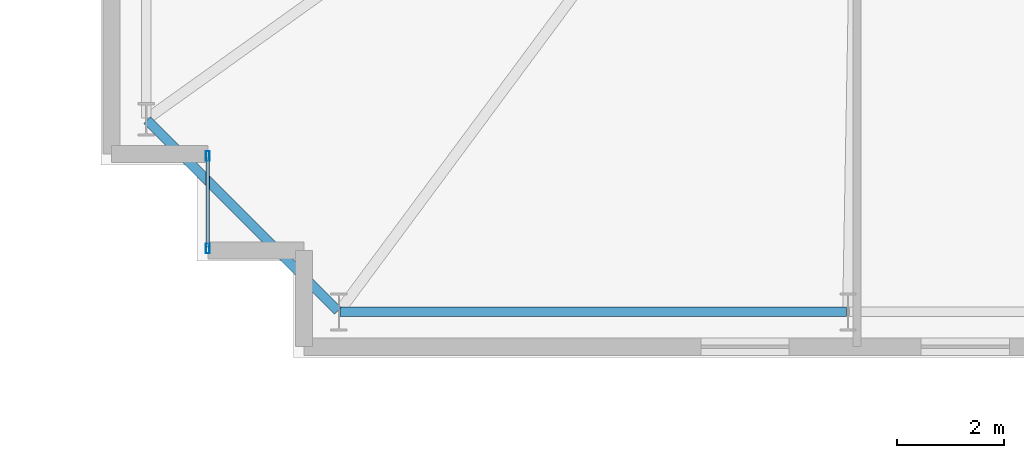
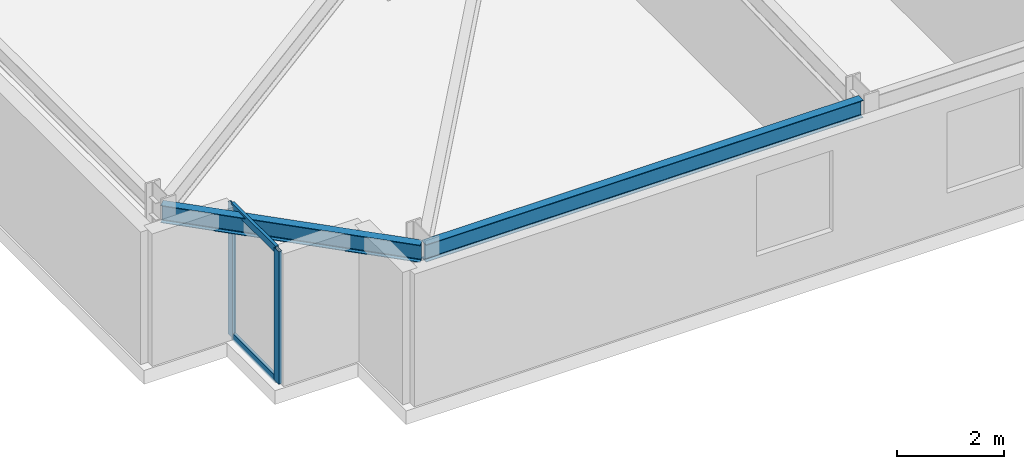
# One storey, part 4 of 21: 4 members, 2 beams, 1 element without a shape of its own.
"""IFC4 building model written with IfcOpenShell, lengths in metres."""

from ifc_helpers import new_model, si_unit, direction, frame, origin, origin_2d, place, context, subcontext, project, spatial, hollow_rectangle, i_section, extrude, material, layer, layer_set, material_profile, profile_set, type_object, element, aggregate, save


model = new_model("IFC4")

# Units and contexts
model_context = context("Model", 3, precision=1e-05, world=origin(), true_north=direction((0.0, 1.0)))
body_context = subcontext(model_context, "Body", "Model", "MODEL_VIEW")
ifc_project = project(units=[si_unit("LENGTHUNIT", "METRE"), si_unit("AREAUNIT", "SQUARE_METRE"), si_unit("VOLUMEUNIT", "CUBIC_METRE"), si_unit("PLANEANGLEUNIT", "RADIAN"), si_unit("MASSUNIT", "GRAM", prefix="KILO")], contexts=[model_context])

# Site, building, storey
site_placement = place(None, origin())
site = spatial("IfcSite", under=ifc_project, at=site_placement, CompositionType="ELEMENT")
building_placement = place(site_placement, origin())
building = spatial("IfcBuilding", under=site, at=building_placement, Name="Qobustan Lattice House", CompositionType="ELEMENT")
storey_placement = place(building_placement, frame((0.0, 0.0, 37.050048828125)))
storey = spatial("IfcBuildingStorey", under=building, at=storey_placement, Name="L09", CompositionType="ELEMENT", Elevation=37.050048828125)

# Beams
ifc_material_1 = material(Name="Steel S355", Category="steel")
ifc_material_profile_1 = material_profile(ifc_material_1, i_section(OverallWidth=0.179931640625, OverallDepth=0.39990234375, WebThickness=0.008544921875, FlangeThickness=0.013427734375, FilletRadius=0.02099609375, at=origin_2d()), Name="IPE400")
ifc_profile_set_1 = profile_set([ifc_material_profile_1], Name="Steel S355")
beam_type = type_object("IfcBeamType", Name="BM-SPD-IPE400", PredefinedType="SPANDREL", material=ifc_profile_set_1)
beam_1_placement = place(storey_placement, frame((-28.52490234375, -18.75, 2.8349609375), z_axis=(1.0, 0.0, 0.0), x_axis=(0.0, 1.0, 0.0)))
element("IfcBeam", 1, at=beam_1_placement, inside=storey, type_object=beam_type, Name="L09 perimeter spandrel S1-S2", PredefinedType="SPANDREL", context=body_context, shape_type="SweptSolid", body=[
    extrude(i_section(OverallWidth=0.179931640625, OverallDepth=0.39990234375, WebThickness=0.008544921875, FlangeThickness=0.013427734375, FilletRadius=0.02099609375, at=origin_2d()), origin(), (0.0, 0.0, 1.0), 9.466552734375),
])
beam_2_placement = place(storey_placement, frame((-32.13232421875, -15.167724609375, 2.8349609375), z_axis=(0.707106781187, -0.707106781187, 0.0), x_axis=(0.707106781187, 0.707106781187, 0.0)))
element("IfcBeam", 2, at=beam_2_placement, inside=storey, type_object=beam_type, Name="L09 perimeter spandrel W4-S1", PredefinedType="SPANDREL", context=body_context, shape_type="SweptSolid", body=[
    extrude(i_section(OverallWidth=0.179931640625, OverallDepth=0.39990234375, WebThickness=0.008544921875, FlangeThickness=0.013427734375, FilletRadius=0.02099609375, at=origin_2d()), origin(), (0.0, 0.0, 1.0), 5.041259765625),
])

# Curtain wall, members
ifc_material_2 = material(Name="Anodised aluminium and low-E glazing", Category="aluminium")
ifc_layer = layer(ifc_material_2, 0.219970703125)
ifc_layer_set = layer_set([ifc_layer], Name="Anodised aluminium and low-E glazing")
curtain_wall_type = type_object("IfcCurtainWallType", Name="CW-FAC-01", PredefinedType="USERDEFINED", material=ifc_layer_set)
curtain_wall_placement = place(storey_placement, origin())
curtain_wall = element("IfcCurtainWall", 3, at=curtain_wall_placement, inside=storey, type_object=curtain_wall_type, Name="L09 serrated corner faceted glazing 3", ObjectType="CURTAIN WALL", PredefinedType="USERDEFINED")
ifc_material_3 = material(Name="Anodised aluminium EN AW-6063 T6", Category="aluminium")
ifc_material_profile_2 = material_profile(ifc_material_3, hollow_rectangle(XDim=0.070068359375, YDim=0.179931640625, WallThickness=0.00439453125, at=origin_2d()), Name="CWM-180x70")
ifc_profile_set_2 = profile_set([ifc_material_profile_2], Name="Anodised aluminium EN AW-6063 T6")
member_type_1 = type_object("IfcMemberType", Name="CWM-STD-180", PredefinedType="MULLION", material=ifc_profile_set_2)
member_1_placement = place(storey_placement, frame((-31.0, -17.56494140625, 0.0), z_axis=(0.0, 0.0, 1.0), x_axis=(-1.0, 0.0, 0.0)))
member_1 = element("IfcMember", 4, at=member_1_placement, type_object=member_type_1, Name="CW-F1 mullion 1", PredefinedType="MULLION", context=body_context, shape_type="SweptSolid", body=[
    extrude(hollow_rectangle(XDim=0.070068359375, YDim=0.179931640625, WallThickness=0.00439453125, at=origin_2d()), origin(), (0.0, 0.0, 1.0), 3.034912109375),
])
member_2_placement = place(storey_placement, frame((-31.0, -15.8349609375, 0.0), z_axis=(0.0, 0.0, 1.0), x_axis=(-1.0, 0.0, 0.0)))
member_2 = element("IfcMember", 5, at=member_2_placement, type_object=member_type_1, Name="CW-F1 mullion 2", PredefinedType="MULLION", context=body_context, shape_type="SweptSolid", body=[
    extrude(hollow_rectangle(XDim=0.070068359375, YDim=0.179931640625, WallThickness=0.00439453125, at=origin_2d()), origin(), (0.0, 0.0, 1.0), 3.034912109375),
])
ifc_material_4 = material(Name="Anodised aluminium EN AW-6063 T6", Category="aluminium")
ifc_material_profile_3 = material_profile(ifc_material_4, hollow_rectangle(XDim=0.06494140625, YDim=0.159912109375, WallThickness=0.00390625, at=origin_2d()), Name="CWT-160x65")
ifc_profile_set_3 = profile_set([ifc_material_profile_3], Name="Anodised aluminium EN AW-6063 T6")
member_type_2 = type_object("IfcMemberType", Name="CWT-HOR-160", PredefinedType="USERDEFINED", material=ifc_profile_set_3)
member_3_placement = place(storey_placement, frame((-31.0, -17.530029296875, 0.032470703125), z_axis=(0.0, 1.0, 0.0), x_axis=(-1.0, 0.0, 0.0)))
member_3 = element("IfcMember", 6, at=member_3_placement, type_object=member_type_2, Name="CW-F1 transom 1.1", ObjectType="TRANSOM", PredefinedType="USERDEFINED", context=body_context, shape_type="SweptSolid", body=[
    extrude(hollow_rectangle(XDim=0.06494140625, YDim=0.159912109375, WallThickness=0.00390625, at=origin_2d()), origin(), (0.0, 0.0, 1.0), 1.659912109375),
])
member_4_placement = place(storey_placement, frame((-31.0, -17.530029296875, 3.00244140625), z_axis=(0.0, 1.0, 0.0), x_axis=(-1.0, 0.0, 0.0)))
member_4 = element("IfcMember", 7, at=member_4_placement, type_object=member_type_2, Name="CW-F1 transom 1.2", ObjectType="TRANSOM", PredefinedType="USERDEFINED", context=body_context, shape_type="SweptSolid", body=[
    extrude(hollow_rectangle(XDim=0.06494140625, YDim=0.159912109375, WallThickness=0.00390625, at=origin_2d()), origin(), (0.0, 0.0, 1.0), 1.659912109375),
])
aggregate(curtain_wall, [member_1, member_2, member_3, member_4])

save(model, "model.ifc")
